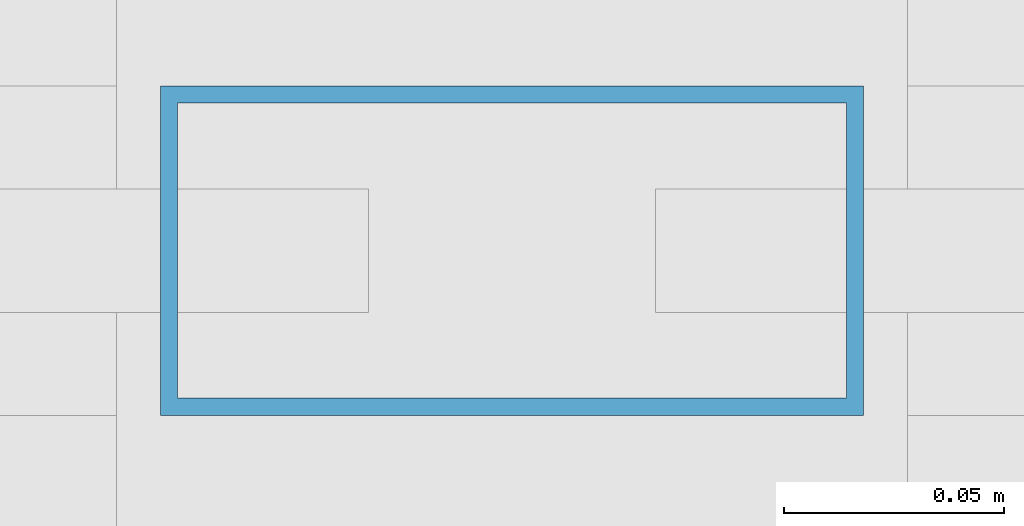
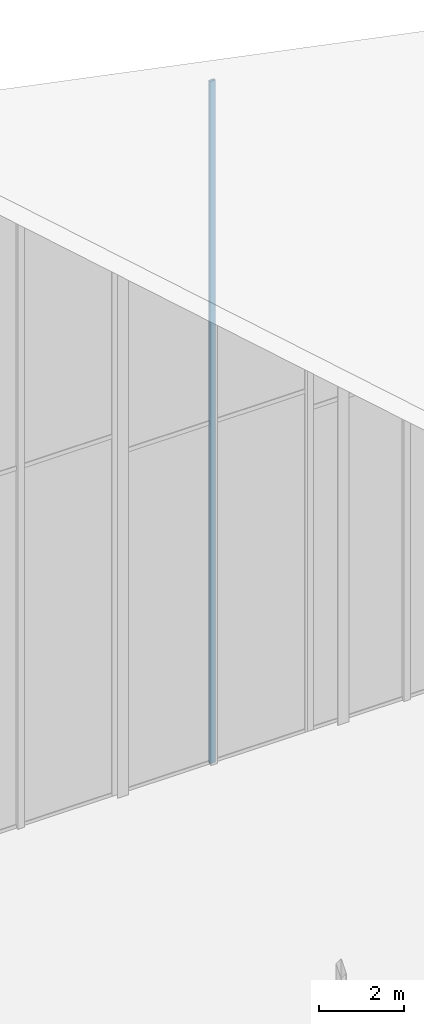
# One storey, part 55 of 74: 1 member, 1 element without a shape of its own.
"""IFC4 building model written with IfcOpenShell, lengths in metres."""

from ifc_helpers import new_model, si_unit, direction, frame, origin, origin_2d, place, context, subcontext, project, spatial, hollow_rectangle, extrude, material, layer, layer_set, material_profile, profile_set, type_object, element, aggregate, save


model = new_model("IFC4")

# Units and contexts
model_context = context("Model", 3, precision=1e-05, world=origin(), true_north=direction((0.0, 1.0)))
body_context = subcontext(model_context, "Body", "Model", "MODEL_VIEW")
ifc_project = project(units=[si_unit("LENGTHUNIT", "METRE"), si_unit("AREAUNIT", "SQUARE_METRE"), si_unit("VOLUMEUNIT", "CUBIC_METRE"), si_unit("PLANEANGLEUNIT", "RADIAN"), si_unit("MASSUNIT", "GRAM", prefix="KILO")], contexts=[model_context])

# Site, building, storey
site_placement = place(None, origin())
site = spatial("IfcSite", under=ifc_project, at=site_placement, CompositionType="ELEMENT")
building_placement = place(site_placement, origin())
building = spatial("IfcBuilding", under=site, at=building_placement, Name="Keshet Zoharim Tower", CompositionType="ELEMENT")
storey_placement = place(building_placement, frame((0.0, 0.0, 320.0)))
storey = spatial("IfcBuildingStorey", under=building, at=storey_placement, Name="RF", CompositionType="ELEMENT", Elevation=320.0)

# Curtain wall, member
ifc_material = material(Name="Aluminium 6063-T6", Category="aluminium")
ifc_layer = layer(ifc_material, 0.260009765625)
ifc_layer_set = layer_set([ifc_layer], Name="Aluminium 6063-T6")
curtain_wall_type = type_object("IfcCurtainWallType", Name="CW-SYS-06", PredefinedType="NOTDEFINED", material=ifc_layer_set)
curtain_wall_placement = place(storey_placement, origin())
curtain_wall = element("IfcCurtainWall", 1, at=curtain_wall_placement, inside=storey, type_object=curtain_wall_type, Name="Slanted Crown Curtain Wall 13", PredefinedType="NOTDEFINED")
ifc_material_profile = material_profile(ifc_material, hollow_rectangle(XDim=0.074951171875, YDim=0.159912109375, WallThickness=0.00390625, at=origin_2d()), Name="MUL-75x160")
ifc_profile_set = profile_set([ifc_material_profile], Name="Aluminium 6063-T6")
member_type = type_object("IfcMemberType", Name="CWM-M15", PredefinedType="MULLION", material=ifc_profile_set)
member_placement = place(storey_placement, frame((29.52099609375, 53.89990234375, 0.0), z_axis=(0.0, 0.0, 1.0), x_axis=(0.0, 1.0, 0.0)))
member = element("IfcMember", 2, at=member_placement, type_object=member_type, Name="CW-06 mullion 2", PredefinedType="MULLION", context=body_context, shape_type="SweptSolid", body=[
    extrude(hollow_rectangle(XDim=0.074951171875, YDim=0.159912109375, WallThickness=0.00390625, at=origin_2d()), origin(), (0.0, 0.0, 1.0), 19.64599609375),
])
aggregate(curtain_wall, [member])

save(model, "model.ifc")
